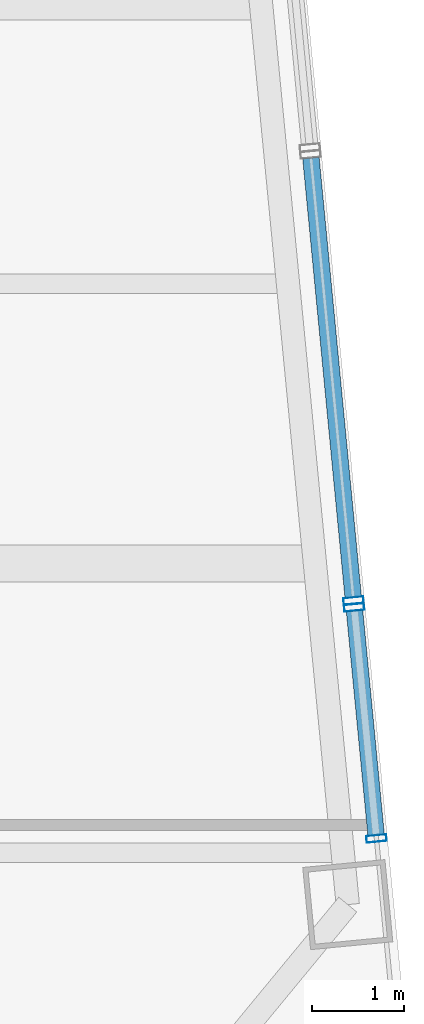
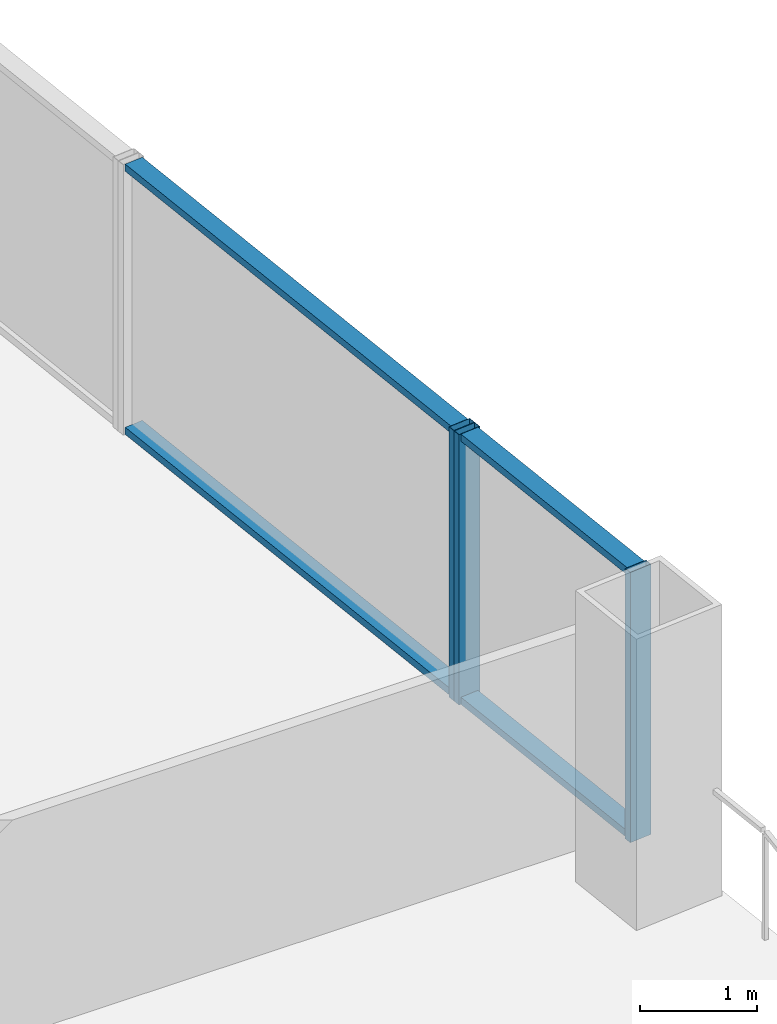
# One storey, part 11 of 27: 7 members, 2 elements without a shape of their own.
"""IFC4 building model written with IfcOpenShell, lengths in metres."""

from ifc_helpers import new_model, si_unit, direction, frame, origin, origin_2d, place, context, subcontext, project, spatial, hollow_rectangle, extrude, material, layer, layer_set, material_profile, profile_set, type_object, element, aggregate, save


model = new_model("IFC4")

# Units and contexts
model_context = context("Model", 3, precision=1e-05, world=origin(), true_north=direction((0.0, 1.0)))
body_context = subcontext(model_context, "Body", "Model", "MODEL_VIEW")
ifc_project = project(units=[si_unit("LENGTHUNIT", "METRE"), si_unit("AREAUNIT", "SQUARE_METRE"), si_unit("VOLUMEUNIT", "CUBIC_METRE"), si_unit("PLANEANGLEUNIT", "RADIAN"), si_unit("MASSUNIT", "GRAM", prefix="KILO")], contexts=[model_context])

# Site, building, storey
site_placement = place(None, origin())
site = spatial("IfcSite", under=ifc_project, at=site_placement, CompositionType="ELEMENT")
building_placement = place(site_placement, origin())
building = spatial("IfcBuilding", under=site, at=building_placement, Name="Qhalaya Broadcast Tower", CompositionType="ELEMENT")
storey_placement = place(building_placement, frame((0.0, 0.0, 75.550048828125)))
storey = spatial("IfcBuildingStorey", under=building, at=storey_placement, Name="L21", CompositionType="ELEMENT", Elevation=75.550048828125)

# Curtain wall, members
ifc_material_1 = material(Name="Fired Architectural Terracotta", Category="masonry")
ifc_layer_1 = layer(ifc_material_1, 0.219970703125, Name="Fired Architectural Terracotta")
ifc_layer_set_1 = layer_set([ifc_layer_1], Name="Fired Architectural Terracotta")
curtain_wall_type_1 = type_object("IfcCurtainWallType", Name="Block-Cap Unitised Terracotta Spandrel Wall CW-07", PredefinedType="NOTDEFINED", material=ifc_layer_set_1)
curtain_wall_1_placement = place(storey_placement, origin())
curtain_wall_1 = element("IfcCurtainWall", 1, at=curtain_wall_1_placement, inside=storey, type_object=curtain_wall_type_1, Name="L21 Unitised Curtain Wall L21-CW-E1", PredefinedType="NOTDEFINED")
ifc_material_2 = material(Name="Anodised Aluminium 6063-T6", Category="aluminium")
ifc_material_profile_1 = material_profile(ifc_material_2, hollow_rectangle(XDim=0.074951171875, YDim=0.219970703125, WallThickness=0.00390625, at=origin_2d()), Name="ALU-MUL 75x220x4")
ifc_profile_set_1 = profile_set([ifc_material_profile_1], Name="Anodised Aluminium 6063-T6")
member_type_1 = type_object("IfcMemberType", Name="Unitised Curtain-Wall Mullion M01", PredefinedType="MULLION", material=ifc_profile_set_1)
member_1_placement = place(storey_placement, frame((29.60498046875, -11.74462890625, 0.0), z_axis=(0.0, 0.0, 1.0), x_axis=(-0.095852900962, 0.995395510025, 0.0)))
member_1 = element("IfcMember", 2, at=member_1_placement, type_object=member_type_1, Name="CW-07 mullion 1", PredefinedType="MULLION", context=body_context, shape_type="SweptSolid", body=[
    extrude(hollow_rectangle(XDim=0.074951171875, YDim=0.219970703125, WallThickness=0.00390625, at=origin_2d()), origin(), (0.0, 0.0, 1.0), 2.829833984375),
])
member_2_placement = place(storey_placement, frame((29.362548828125, -9.227294921875, 0.0), z_axis=(0.0, 0.0, 1.0), x_axis=(-0.095852900962, 0.995395510025, 0.0)))
member_2 = element("IfcMember", 3, at=member_2_placement, type_object=member_type_1, Name="CW-07 mullion 2", PredefinedType="MULLION", context=body_context, shape_type="SweptSolid", body=[
    extrude(hollow_rectangle(XDim=0.074951171875, YDim=0.219970703125, WallThickness=0.00390625, at=origin_2d()), origin(), (0.0, 0.0, 1.0), 2.829833984375),
])

# Curtain wall, member
ifc_material_3 = material(Name="Solar-Control Low-E Triple Glazing", Category="glass")
ifc_layer_2 = layer(ifc_material_3, 0.219970703125, Name="Solar-Control Low-E Triple Glazing")
ifc_layer_set_2 = layer_set([ifc_layer_2], Name="Solar-Control Low-E Triple Glazing")
curtain_wall_type_2 = type_object("IfcCurtainWallType", Name="Even-Block 4-Storey Double-Module Curtain Wall CW-03", PredefinedType="NOTDEFINED", material=ifc_layer_set_2)
curtain_wall_2_placement = place(storey_placement, origin())
curtain_wall_2 = element("IfcCurtainWall", 4, at=curtain_wall_2_placement, inside=storey, type_object=curtain_wall_type_2, Name="L21 Unitised Curtain Wall L21-CW-E2", PredefinedType="NOTDEFINED")
member_3_placement = place(storey_placement, frame((29.35546875, -9.152587890625, 0.0), z_axis=(0.0, 0.0, 1.0), x_axis=(-0.095844611292, 0.995396308254, 0.0)))
member_3 = element("IfcMember", 5, at=member_3_placement, type_object=member_type_1, Name="CW-03 mullion 1", PredefinedType="MULLION", context=body_context, shape_type="SweptSolid", body=[
    extrude(hollow_rectangle(XDim=0.074951171875, YDim=0.219970703125, WallThickness=0.00390625, at=origin_2d()), origin(), (0.0, 0.0, 1.0), 2.829833984375),
])

# Member
ifc_material_profile_2 = material_profile(ifc_material_2, hollow_rectangle(XDim=0.074951171875, YDim=0.179931640625, WallThickness=0.00390625, at=origin_2d()), Name="ALU-TRN 75x180x4")
ifc_profile_set_2 = profile_set([ifc_material_profile_2], Name="Anodised Aluminium 6063-T6")
member_type_2 = type_object("IfcMemberType", Name="Unitised Curtain-Wall Transom T01", PredefinedType="USERDEFINED", material=ifc_profile_set_2)
member_4_placement = place(storey_placement, frame((29.601318359375, -11.707275390625, 0.037353515625), z_axis=(-0.095809089258, 0.995399727956, 0.0), x_axis=(0.0, 0.0, 1.0)))
member_4 = element("IfcMember", 6, at=member_4_placement, type_object=member_type_2, Name="CW-07 transom 1.1", ObjectType="TRANSOM", PredefinedType="USERDEFINED", context=body_context, shape_type="SweptSolid", body=[
    extrude(hollow_rectangle(XDim=0.074951171875, YDim=0.179931640625, WallThickness=0.00390625, at=origin_2d()), origin(), (0.0, 0.0, 1.0), 2.453857421875),
])

member_5_placement = place(storey_placement, frame((29.601318359375, -11.707275390625, 2.79248046875), z_axis=(-0.095809089258, 0.995399727956, 0.0), x_axis=(0.0, 0.0, 1.0)))
member_5 = element("IfcMember", 7, at=member_5_placement, type_object=member_type_2, Name="CW-07 transom 1.2", ObjectType="TRANSOM", PredefinedType="USERDEFINED", context=body_context, shape_type="SweptSolid", body=[
    extrude(hollow_rectangle(XDim=0.074951171875, YDim=0.179931640625, WallThickness=0.00390625, at=origin_2d()), origin(), (0.0, 0.0, 1.0), 2.453857421875),
])

aggregate(curtain_wall_1, [member_1, member_2, member_4, member_5])

member_6_placement = place(storey_placement, frame((29.351806640625, -9.115234375, 0.037353515625), z_axis=(-0.095868180623, 0.995394038532, 0.0), x_axis=(0.0, 0.0, 1.0)))
member_6 = element("IfcMember", 8, at=member_6_placement, type_object=member_type_2, Name="CW-03 transom 1.1", ObjectType="TRANSOM", PredefinedType="USERDEFINED", context=body_context, shape_type="SweptSolid", body=[
    extrude(hollow_rectangle(XDim=0.074951171875, YDim=0.179931640625, WallThickness=0.00390625, at=origin_2d()), origin(), (0.0, 0.0, 1.0), 4.80810546875),
])

member_7_placement = place(storey_placement, frame((29.351806640625, -9.115234375, 2.79248046875), z_axis=(-0.095868180623, 0.995394038532, 0.0), x_axis=(0.0, 0.0, 1.0)))
member_7 = element("IfcMember", 9, at=member_7_placement, type_object=member_type_2, Name="CW-03 transom 1.2", ObjectType="TRANSOM", PredefinedType="USERDEFINED", context=body_context, shape_type="SweptSolid", body=[
    extrude(hollow_rectangle(XDim=0.074951171875, YDim=0.179931640625, WallThickness=0.00390625, at=origin_2d()), origin(), (0.0, 0.0, 1.0), 4.80810546875),
])

aggregate(curtain_wall_2, [member_3, member_6, member_7])

save(model, "model.ifc")
